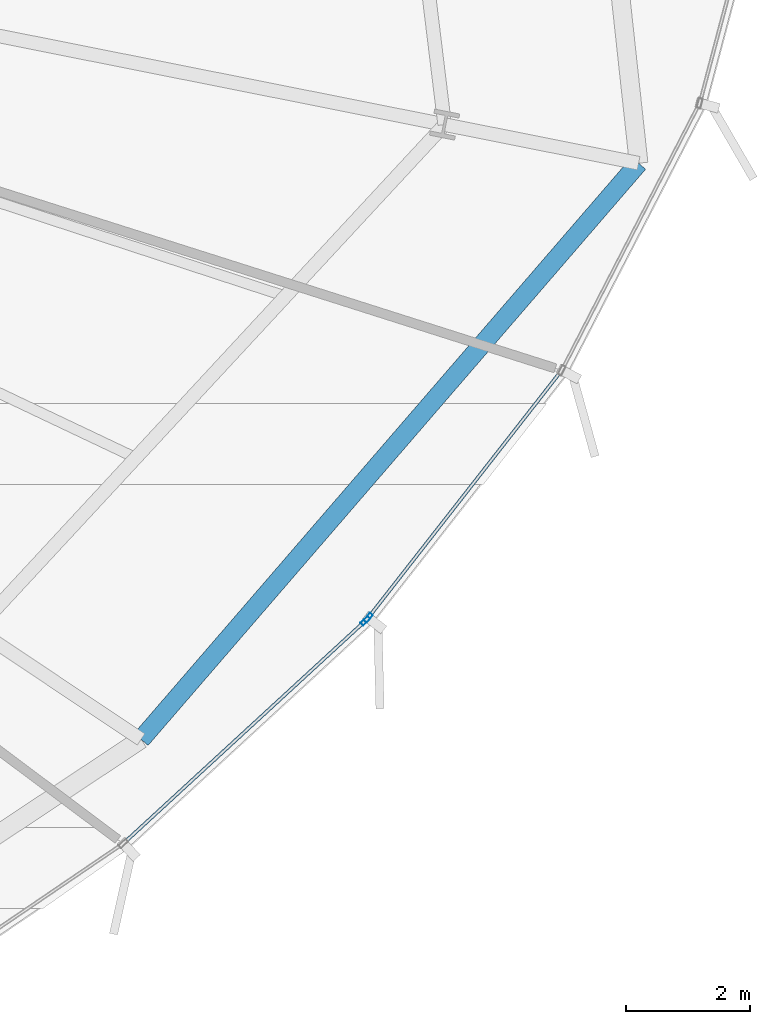
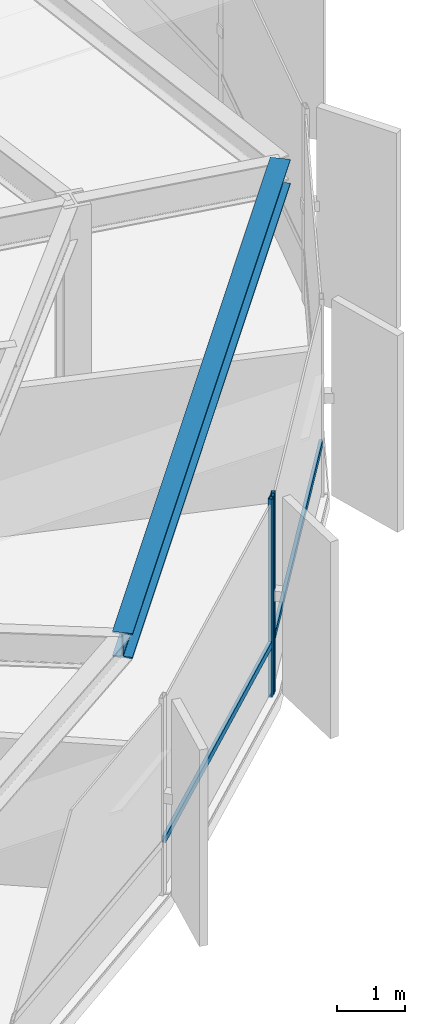
# One storey, part 14 of 37: 4 members, 1 beam, 2 elements without a shape of their own.
"""IFC4 building model written with IfcOpenShell, lengths in metres."""

import ifcopenshell
import ifcopenshell.guid

model = None  # the IFC model being written
_history = None  # IfcOwnerHistory: only IFC2X3 demands one
_inside = {}  # id of a spatial element -> (the spatial element, [elements in it])
_under = {}  # id of a project, library or spatial element -> (it, [spatial elements below it])
_declared = {}  # id of a project -> (the project, [libraries it declares])
_typed = {}  # id of a type object -> (the type object, [elements of that type])
_made_of = {}  # id of a material, layer set ... -> (it, [elements and type objects made of it])


def new_model(schema):
    """Start an empty IFC model of exactly this schema.

    Asked for "IFC4X3", IfcOpenShell would pick the latest addendum, in which some entities
    have other attributes; the version numbers below select the first issue.
    IFC2X3 requires an IfcOwnerHistory on every rooted entity: one is made here for all.
    """
    global model, _history
    if schema == "IFC4X3":
        model = ifcopenshell.file(schema_version=(4, 3, 0, 0))
    else:
        model = ifcopenshell.file(schema=schema)
    _inside.clear()
    _under.clear()
    _declared.clear()
    _typed.clear()
    _made_of.clear()
    _history = None
    if model.schema == "IFC2X3":
        org = make("IfcOrganization", Name="unknown")
        user = make(
            "IfcPersonAndOrganization",
            ThePerson=make("IfcPerson", FamilyName="unknown"),
            TheOrganization=org,
        )
        app = make(
            "IfcApplication",
            ApplicationDeveloper=org,
            Version="unknown",
            ApplicationFullName="unknown",
            ApplicationIdentifier="unknown",
        )
        _history = make(
            "IfcOwnerHistory",
            OwningUser=user,
            OwningApplication=app,
            ChangeAction="ADDED",
            CreationDate=0,
        )
    return model


def make(cls, **values):
    """One entity of the class cls with the attributes given. An attribute that is None is left unset."""
    return model.create_entity(
        cls, **{name: value for name, value in values.items() if value is not None}
    )


def rooted(cls, **values):
    """An entity with a GlobalId (a new one), such as an element, a storey or a relation."""
    return make(cls, GlobalId=ifcopenshell.guid.new(), OwnerHistory=_history, **values)


def si_unit(unit_type, name, prefix=None):
    """IfcSIUnit, for example si_unit("LENGTHUNIT", "METRE", prefix="MILLI")."""
    return make("IfcSIUnit", UnitType=unit_type, Prefix=prefix, Name=name)


def assignment(units):
    """IfcUnitAssignment: the units of a project."""
    return None if units is None else make("IfcUnitAssignment", Units=units)


def point(xyz):
    """IfcCartesianPoint."""
    return None if xyz is None else make("IfcCartesianPoint", Coordinates=xyz)


def direction(xyz):
    """IfcDirection."""
    return None if xyz is None else make("IfcDirection", DirectionRatios=xyz)


def frame(location, z_axis=None, x_axis=None):
    """IfcAxis2Placement3D, a coordinate frame: its origin and axes. An axis left out is left unset."""
    return make(
        "IfcAxis2Placement3D",
        Location=point(location),
        Axis=direction(z_axis),
        RefDirection=direction(x_axis),
    )


def frame_2d(location, x_axis=None):
    """IfcAxis2Placement2D, a coordinate frame in the plane: its origin and x axis."""
    return make(
        "IfcAxis2Placement2D", Location=point(location), RefDirection=direction(x_axis)
    )


def origin():
    """The frame at (0, 0, 0) with its axes left unset."""
    return frame((0.0, 0.0, 0.0))


def origin_2d():
    """The frame at (0, 0) in the plane with its x axis left unset."""
    return frame_2d((0.0, 0.0))


def place(relative_to, where):
    """IfcLocalPlacement: puts the frame where relative to a parent placement (None: the world)."""
    return make(
        "IfcLocalPlacement", PlacementRelTo=relative_to, RelativePlacement=where
    )


def context(
    kind, dimensions, precision=None, world=None, true_north=None, identifier=None
):
    """IfcGeometricRepresentationContext, for example the 3D "Model" context."""
    return make(
        "IfcGeometricRepresentationContext",
        ContextIdentifier=identifier,
        ContextType=kind,
        CoordinateSpaceDimension=dimensions,
        Precision=precision,
        WorldCoordinateSystem=world,
        TrueNorth=true_north,
    )


def subcontext(parent, identifier, kind, view, scale=None):
    """IfcGeometricRepresentationSubContext, for example "Body" below "Model"."""
    return make(
        "IfcGeometricRepresentationSubContext",
        ContextIdentifier=identifier,
        ContextType=kind,
        ParentContext=parent,
        TargetScale=scale,
        TargetView=view,
    )


def project(units=None, contexts=None):
    """IfcProject with its units and contexts."""
    return rooted(
        "IfcProject",
        Name="project",
        RepresentationContexts=contexts,
        UnitsInContext=assignment(units),
    )


def spatial(cls, under=None, at=None, **own):
    """A site, building, storey or space (cls), placed at a placement, below another one or the project."""
    s = rooted(cls, ObjectPlacement=at, **own)
    if under is not None:
        _under.setdefault(under.id(), (under, []))[1].append(s)
    return s


def profile(cls, at=None, kind="AREA", **sizes):
    """A parametric profile (cls). Its sizes go by their IFC names, for example OverallWidth=200.0."""
    return make(cls, ProfileType=kind, Position=at, **sizes)


def hollow_rectangle(**sizes):
    """IfcRectangleHollowProfileDef."""
    return profile("IfcRectangleHollowProfileDef", **sizes)


def i_section(**sizes):
    """IfcIShapeProfileDef."""
    return profile("IfcIShapeProfileDef", **sizes)


def extrude(swept, where, along, depth):
    """IfcExtrudedAreaSolid: the profile swept, set in the frame where, extruded along a direction by depth."""
    return make(
        "IfcExtrudedAreaSolid",
        SweptArea=swept,
        Position=where,
        ExtrudedDirection=direction(along),
        Depth=depth,
    )


def shape(context_of_items, identifier, shape_type, items):
    """IfcShapeRepresentation: the items that make up one representation, for example the "Body"."""
    return make(
        "IfcShapeRepresentation",
        ContextOfItems=context_of_items,
        RepresentationIdentifier=identifier,
        RepresentationType=shape_type,
        Items=items,
    )


def source(mapping_origin, context_of_items, identifier, shape_type, items):
    """IfcRepresentationMap: a shape defined once, which mapped items show again and again."""
    return make(
        "IfcRepresentationMap",
        MappingOrigin=mapping_origin,
        MappedRepresentation=shape(context_of_items, identifier, shape_type, items),
    )


def transform(
    local_origin,
    x_axis=None,
    y_axis=None,
    z_axis=None,
    scale=None,
    scale2=None,
    scale3=None,
    uniform=True,
):
    """IfcCartesianTransformationOperator3D, or its non-uniform kind. x_axis, y_axis, z_axis: its Axis1, 2, 3."""
    if uniform:
        return make(
            "IfcCartesianTransformationOperator3D",
            Axis1=direction(x_axis),
            Axis2=direction(y_axis),
            LocalOrigin=point(local_origin),
            Scale=scale,
            Axis3=direction(z_axis),
        )
    return make(
        "IfcCartesianTransformationOperator3DnonUniform",
        Axis1=direction(x_axis),
        Axis2=direction(y_axis),
        LocalOrigin=point(local_origin),
        Scale=scale,
        Axis3=direction(z_axis),
        Scale2=scale2,
        Scale3=scale3,
    )


def mapped(mapping_source, mapping_target):
    """IfcMappedItem: shows the shape of a source again, moved by a transform."""
    return make(
        "IfcMappedItem", MappingSource=mapping_source, MappingTarget=mapping_target
    )


def material(Name=None, Category=None):
    """IfcMaterial."""
    return make("IfcMaterial", Name=Name, Category=Category)


def layer(
    of_material, thickness, ventilated=None, Name=None, Category=None, Priority=None
):
    """IfcMaterialLayer: one layer of a wall or slab, of a material (None: an air gap)."""
    return make(
        "IfcMaterialLayer",
        Material=of_material,
        LayerThickness=thickness,
        IsVentilated=ventilated,
        Name=Name,
        Category=Category,
        Priority=Priority,
    )


def layer_set(layers, Name=None):
    """IfcMaterialLayerSet."""
    return make("IfcMaterialLayerSet", MaterialLayers=layers, LayerSetName=Name)


def material_profile(
    of_material, cross_section, Name=None, Category=None, Priority=None
):
    """IfcMaterialProfile: a cross section and its material."""
    return make(
        "IfcMaterialProfile",
        Name=Name,
        Material=of_material,
        Profile=cross_section,
        Priority=Priority,
        Category=Category,
    )


def profile_set(profiles, Name=None, composite=None):
    """IfcMaterialProfileSet."""
    return make(
        "IfcMaterialProfileSet",
        Name=Name,
        MaterialProfiles=profiles,
        CompositeProfile=composite,
    )


def made_of(thing, what):
    """Note that an element or type object is made of a material, layer set ...; save() writes the relation."""
    if what is not None:
        _made_of.setdefault(what.id(), (what, []))[1].append(thing)
    return thing


def type_object(cls, material=None, **own):
    """A type object (cls), such as IfcWallType, which elements share."""
    return made_of(rooted(cls, **own), material)


def element(
    cls,
    number,
    at=None,
    inside=None,
    cuts=None,
    type_object=None,
    material=None,
    context=None,
    identifier="Body",
    shape_type=None,
    held_by="IfcProductDefinitionShape",
    body=None,
    shapes=None,
    **own,
):
    """One element of the class cls, such as IfcWall. Its Tag is "e" and its number.

    at: its placement. inside: the storey or other place that contains it. cuts: it is an
    opening in that element (IfcRelVoidsElement). A single representation is given by context,
    identifier, shape_type and body (its items); several are given by shapes. held_by: the class
    of the entity that holds the representations. save() writes the other relations.
    """
    e = rooted(cls, Tag="e%d" % number, ObjectPlacement=at, **own)
    if body is not None:
        shapes = [shape(context, identifier, shape_type, body)]
    if shapes is not None:
        e.Representation = make(held_by, Representations=shapes)
    if inside is not None:
        _inside.setdefault(inside.id(), (inside, []))[1].append(e)
    if cuts is not None:
        rooted(
            "IfcRelVoidsElement", RelatingBuildingElement=cuts, RelatedOpeningElement=e
        )
    if type_object is not None:
        _typed.setdefault(type_object.id(), (type_object, []))[1].append(e)
    return made_of(e, material)


def aggregate(whole, parts):
    """IfcRelAggregates: a whole, such as a stair, and the parts it consists of."""
    return rooted("IfcRelAggregates", RelatingObject=whole, RelatedObjects=parts)


def save(model, path):
    """Write the relations noted so far, then the file.

    IfcRelAggregates (storeys below a building ...), IfcRelContainedInSpatialStructure (elements
    in a storey), IfcRelDefinesByType, IfcRelAssociatesMaterial and IfcRelDeclares: one each for
    every whole, place, type object, material and project.
    """
    for whole, parts in _under.values():
        aggregate(whole, parts)
    for where, things in _inside.values():
        rooted(
            "IfcRelContainedInSpatialStructure",
            RelatedElements=things,
            RelatingStructure=where,
        )
    for kind, things in _typed.values():
        rooted("IfcRelDefinesByType", RelatedObjects=things, RelatingType=kind)
    for what, things in _made_of.values():
        rooted("IfcRelAssociatesMaterial", RelatedObjects=things, RelatingMaterial=what)
    for by, libraries in _declared.values():
        rooted("IfcRelDeclares", RelatingContext=by, RelatedDefinitions=libraries)
    model.write(path)


model = new_model("IFC4")

# Units and contexts
model_context = context("Model", 3, precision=1e-05, world=origin(), true_north=direction((0.0, 1.0)))
body_context = subcontext(model_context, "Body", "Model", "MODEL_VIEW")
ifc_project = project(units=[si_unit("LENGTHUNIT", "METRE"), si_unit("AREAUNIT", "SQUARE_METRE"), si_unit("VOLUMEUNIT", "CUBIC_METRE"), si_unit("PLANEANGLEUNIT", "RADIAN"), si_unit("MASSUNIT", "GRAM", prefix="KILO"), si_unit("THERMODYNAMICTEMPERATUREUNIT", "KELVIN")], contexts=[model_context])

# Site, building, storey
site_placement = place(None, origin())
site = spatial("IfcSite", under=ifc_project, at=site_placement, CompositionType="ELEMENT")
building_placement = place(site_placement, origin())
building = spatial("IfcBuilding", under=site, at=building_placement, Name="Kethvar Cultural Tower", CompositionType="ELEMENT")
storey_placement = place(building_placement, frame((0.0, 0.0, 56.199951171875)))
storey = spatial("IfcBuildingStorey", under=building, at=storey_placement, Name="L13", CompositionType="ELEMENT", Elevation=56.199951171875)

# Beam
ifc_material_1 = material(Name="Steel S355J2", Category="steel")
ifc_material_profile_1 = material_profile(ifc_material_1, i_section(OverallWidth=0.300048828125, OverallDepth=0.449951171875, WebThickness=0.013916015625, FlangeThickness=0.02587890625, FilletRadius=0.027099609375, at=origin_2d()), Name="Steel S355J2 — HEB450")
ifc_profile_set_1 = profile_set([ifc_material_profile_1], Name="Steel S355J2 — HEB450")
beam_type = type_object("IfcBeamType", Name="BM-SP450", PredefinedType="SPANDREL", material=ifc_profile_set_1)
shared_shape_1 = source(origin(), body_context, "Body", "SweptSolid", [
    extrude(i_section(OverallWidth=0.300048828125, OverallDepth=0.449951171875, WebThickness=0.013916015625, FlangeThickness=0.02587890625, FilletRadius=0.027099609375, at=origin_2d()), origin(), (0.0, 0.0, 1.0), 12.3173828125),
])
beam_placement = place(storey_placement, frame((70.0791015625, 12.24560546875, 3.322998046875), z_axis=(0.653586327045, 0.756851975686, 0.0), x_axis=(-0.756851975686, 0.653586327045, 0.0)))
element("IfcBeam", 1, at=beam_placement, inside=storey, type_object=beam_type, Name="L13 Perimeter Spandrel Beam SP-15", PredefinedType="SPANDREL", context=body_context, shape_type="MappedRepresentation", body=[
    mapped(shared_shape_1, transform((0.0, 0.0, 0.0), scale=1.0)),
])

# Curtain wall, member
ifc_material_2 = material(Name="Aluminium 6063-T6", Category="aluminium")
ifc_layer = layer(ifc_material_2, 0.179931640625, Name="Aluminium 6063-T6", Category="aluminium")
ifc_layer_set = layer_set([ifc_layer], Name="Aluminium 6063-T6 (180 mm)")
curtain_wall_type = type_object("IfcCurtainWallType", Name="CW-SYS-02-Z1", PredefinedType="NOTDEFINED", material=ifc_layer_set)
curtain_wall_1_placement = place(storey_placement, origin())
curtain_wall_1 = element("IfcCurtainWall", 2, at=curtain_wall_1_placement, inside=storey, type_object=curtain_wall_type, Name="L13 Curtain Wall Run 06", PredefinedType="NOTDEFINED")
ifc_material_profile_2 = material_profile(ifc_material_2, hollow_rectangle(XDim=0.06494140625, YDim=0.159912109375, WallThickness=0.0048828125, at=origin_2d()), Name="Aluminium 6063-T6 — RHS160x65x5")
ifc_profile_set_2 = profile_set([ifc_material_profile_2], Name="Aluminium 6063-T6 — RHS160x65x5")
member_type_1 = type_object("IfcMemberType", Name="CW-SYS-02-Z1-MUL", PredefinedType="MULLION", material=ifc_profile_set_2)
shared_shape_2 = source(origin(), body_context, "Body", "SweptSolid", [
    extrude(hollow_rectangle(XDim=0.06494140625, YDim=0.159912109375, WallThickness=0.0048828125, at=origin_2d()), origin(), (0.0, 0.0, 1.0), 3.550048828125),
])
member_1_placement = place(storey_placement, frame((73.710205078125, 14.165771484375, 0.0), z_axis=(0.0, 0.0, 1.0), x_axis=(-0.677107187996, 0.735884403941, 0.0)))
member_1 = element("IfcMember", 3, at=member_1_placement, type_object=member_type_1, Name="CW-L13-R06 Mullion 7", PredefinedType="MULLION", context=body_context, shape_type="MappedRepresentation", body=[
    mapped(shared_shape_2, transform((0.0, 0.0, 0.0), scale=1.0)),
])

# Curtain wall, members
curtain_wall_2_placement = place(storey_placement, origin())
curtain_wall_2 = element("IfcCurtainWall", 4, at=curtain_wall_2_placement, inside=storey, type_object=curtain_wall_type, Name="L13 Curtain Wall Run 07", PredefinedType="NOTDEFINED")
member_2_placement = place(storey_placement, frame((73.754150390625, 14.213134765625, 0.0), z_axis=(0.0, 0.0, 1.0), x_axis=(-0.787720542487, 0.616032748272, 0.0)))
member_2 = element("IfcMember", 5, at=member_2_placement, type_object=member_type_1, Name="CW-L13-R07 Mullion 1", PredefinedType="MULLION", context=body_context, shape_type="MappedRepresentation", body=[
    mapped(shared_shape_2, transform((0.0, 0.0, 0.0), scale=1.0)),
])
ifc_material_profile_3 = material_profile(ifc_material_2, hollow_rectangle(XDim=0.054931640625, YDim=0.1201171875, WallThickness=0.00390625, at=origin_2d()), Name="Aluminium 6063-T6 — RHS120x55x4")
ifc_profile_set_3 = profile_set([ifc_material_profile_3], Name="Aluminium 6063-T6 — RHS120x55x4")
member_type_2 = type_object("IfcMemberType", Name="CW-SYS-02-Z1-TRN", PredefinedType="USERDEFINED", material=ifc_profile_set_3)
shared_shape_3 = source(origin(), body_context, "Body", "SweptSolid", [
    extrude(hollow_rectangle(XDim=0.054931640625, YDim=0.1201171875, WallThickness=0.00390625, at=origin_2d()), origin(), (0.0, 0.0, 1.0), 5.053955078125),
])
member_3_placement = place(storey_placement, frame((73.7568359375, 14.216796875, 0.949951171875), z_axis=(0.616008635462, 0.78773939919, 0.0), x_axis=(-0.78773939919, 0.616008635462, 0.0)))
member_3 = element("IfcMember", 6, at=member_3_placement, type_object=member_type_2, Name="CW-L13-R07 Transom 1", ObjectType="TRANSOM", PredefinedType="USERDEFINED", context=body_context, shape_type="MappedRepresentation", body=[
    mapped(shared_shape_3, transform((0.0, 0.0, 0.0), scale=1.0)),
])
aggregate(curtain_wall_2, [member_2, member_3])

# Member
shared_shape_4 = source(origin(), body_context, "Body", "SweptSolid", [
    extrude(hollow_rectangle(XDim=0.054931640625, YDim=0.1201171875, WallThickness=0.00390625, at=origin_2d()), origin(), (0.0, 0.0, 1.0), 5.273193359375),
])
member_4_placement = place(storey_placement, frame((69.826416015625, 10.592041015625, 0.949951171875), z_axis=(0.735872874787, 0.67711971774, 0.0), x_axis=(-0.67711971774, 0.735872874787, 0.0)))
member_4 = element("IfcMember", 7, at=member_4_placement, type_object=member_type_2, Name="CW-L13-R06 Transom 6", ObjectType="TRANSOM", PredefinedType="USERDEFINED", context=body_context, shape_type="MappedRepresentation", body=[
    mapped(shared_shape_4, transform((0.0, 0.0, 0.0), scale=1.0)),
])

aggregate(curtain_wall_1, [member_1, member_4])

save(model, "model.ifc")
